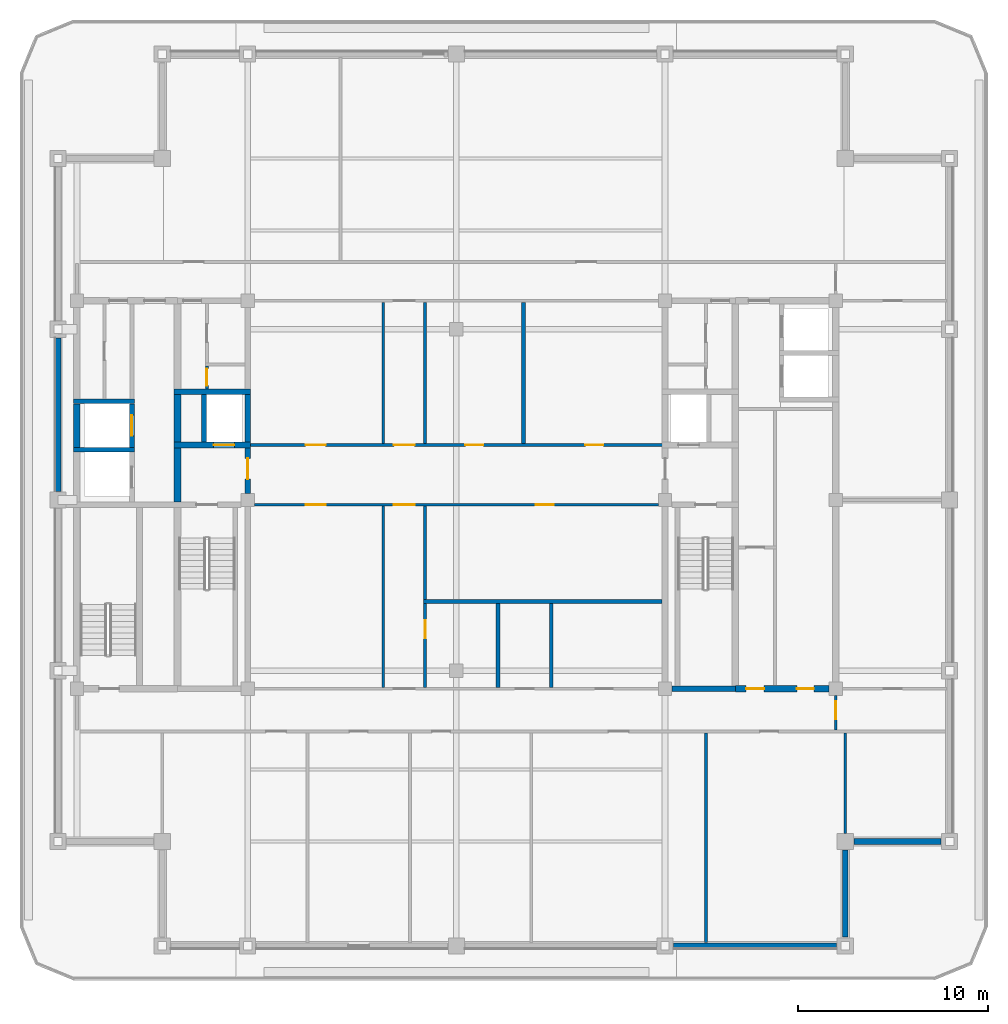
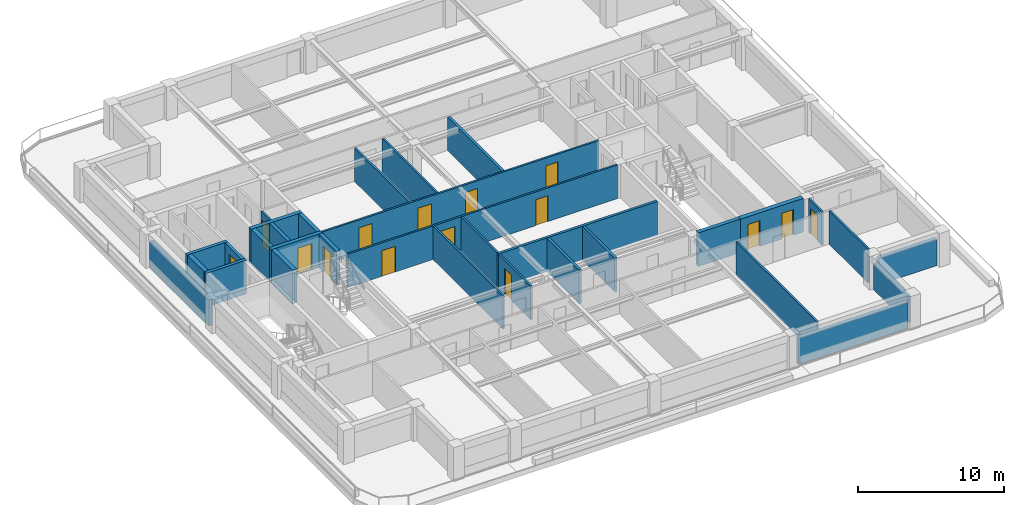
# One storey, part 3 of 10: 32 walls, 15 doors, 15 openings.
"""IFC4 building model written with IfcOpenShell, lengths in metres."""

from ifc_helpers import new_model, si_unit, direction, frame, frame_2d, origin, place, context, subcontext, project, spatial, rectangle, extrude, material, layer, layer_set, type_object, element, fill, save


model = new_model("IFC4")

# Units and contexts
model_context = context("Model", 3, precision=1e-05, world=origin(), true_north=direction((0.0, 1.0)))
body_context = subcontext(model_context, "Body", "Model", "MODEL_VIEW")
ifc_project = project(units=[si_unit("LENGTHUNIT", "METRE"), si_unit("AREAUNIT", "SQUARE_METRE"), si_unit("VOLUMEUNIT", "CUBIC_METRE"), si_unit("PLANEANGLEUNIT", "RADIAN"), si_unit("MASSUNIT", "GRAM", prefix="KILO")], contexts=[model_context])

# Site, building, storey
site_placement = place(None, origin())
site = spatial("IfcSite", under=ifc_project, at=site_placement, CompositionType="ELEMENT")
building_placement = place(site_placement, origin())
building = spatial("IfcBuilding", under=site, at=building_placement, Name="Zulmaris Gate Convention Tower", CompositionType="ELEMENT")
storey_placement = place(building_placement, frame((0.0, 0.0, 246.199951171875)))
storey = spatial("IfcBuildingStorey", under=building, at=storey_placement, Name="L65", CompositionType="ELEMENT", Elevation=246.199951171875)

# Walls
ifc_material_1 = material(Name="Concrete C50/60", Category="concrete")
ifc_layer_1 = layer(ifc_material_1, 0.25, Name="Concrete C50/60")
ifc_layer_set_1 = layer_set([ifc_layer_1], Name="Concrete C50/60")
wall_type_1 = type_object("IfcWallType", Name="CORE-250", PredefinedType="SOLIDWALL", material=ifc_layer_set_1)
for number, where, z_axis, x_axis, name in (
    (1, (-20.175048828125, 2.64990234375, 0.0), (0.0, 0.0, 1.0), (1.0, 0.0, 0.0), "WL-L65-007"),
    (2, (-20.175048828125, 5.199951171875, 0.0), (0.0, 0.0, 1.0), (1.0, 0.0, 0.0), "WL-L65-010"),
):
    element("IfcWall", number, at=place(storey_placement, frame(where, z_axis=z_axis, x_axis=x_axis)), inside=storey, type_object=wall_type_1, Name=name, PredefinedType="SOLIDWALL", context=body_context, shape_type="SweptSolid", body=[
        extrude(rectangle(XDim=3.199951171875, YDim=0.25, at=frame_2d((1.60009765625, 0.0))), origin(), (0.0, 0.0, 1.0), 2.804931640625),
    ])

# Wall, opening, door
wall_1_placement = place(storey_placement, frame((-17.10009765625, 2.777099609375, 0.0), z_axis=(0.0, 0.0, 1.0), x_axis=(0.0, 1.0, 0.0)))
wall_1 = element("IfcWall", 3, at=wall_1_placement, inside=storey, type_object=wall_type_1, Name="WL-L65-038", PredefinedType="SOLIDWALL", context=body_context, shape_type="SweptSolid", body=[
    extrude(rectangle(XDim=2.2958984375, YDim=0.25, at=frame_2d((1.14794921875, 0.0))), origin(), (0.0, 0.0, 1.0), 2.804931640625),
])
opening_1_placement = place(wall_1_placement, frame((0.597900390625, 0.0, 0.0)))
opening_1 = element("IfcOpeningElement", 4, at=opening_1_placement, cuts=wall_1, Name="Opening D-06", PredefinedType="OPENING", context=body_context, shape_type="SweptSolid", body=[
    extrude(rectangle(XDim=1.10009765625, YDim=2.199951171875, at=frame_2d((0.550048828125, 1.10009765625))), frame((0.0, 0.135009765625, 0.0), z_axis=(0.0, -1.0, 0.0), x_axis=(1.0, 0.0, 0.0)), (0.0, 0.0, 1.0), 0.27001953125),
])
ifc_material_2 = material(Name="Brushed Stainless Steel", Category="steel")
door_type_1 = type_object("IfcDoorType", Name="LD-1100", OperationType="NOTDEFINED", PredefinedType="DOOR", material=ifc_material_2)
door_1_placement = place(opening_1_placement, origin())
door_1 = element("IfcDoor", 5, at=door_1_placement, inside=storey, type_object=door_type_1, Name="L65 Lift Landing Door HP-04 15", OperationType="SLIDING_TO_LEFT", OverallHeight=2.199951171875, OverallWidth=1.10009765625, PredefinedType="DOOR", context=body_context, shape_type="SweptSolid", body=[
    extrude(rectangle(XDim=1.10009765625, YDim=2.199951171875, at=frame_2d((0.550048828125, 1.10009765625))), frame((0.0, 0.02490234375, 0.0), z_axis=(0.0, -1.0, 0.0), x_axis=(1.0, 0.0, 0.0)), (0.0, 0.0, 1.0), 0.050048828125),
])
fill(opening_1, door_1)

# Walls
wall_2_placement = place(storey_placement, frame((-13.300048828125, 3.052001953125, 0.0), z_axis=(0.0, 0.0, 1.0), x_axis=(0.0, 1.0, 0.0)))
element("IfcWall", 6, at=wall_2_placement, inside=storey, type_object=wall_type_1, Name="WL-L65-044", PredefinedType="SOLIDWALL", context=body_context, shape_type="SweptSolid", body=[
    extrude(rectangle(XDim=2.49609375, YDim=0.25, at=frame_2d((1.248046875, 0.0))), origin(), (0.0, 0.0, 1.0), 2.804931640625),
])
ifc_layer_2 = layer(ifc_material_1, 0.300048828125, Name="Concrete C50/60")
ifc_layer_set_2 = layer_set([ifc_layer_2], Name="Concrete C50/60")
wall_type_2 = type_object("IfcWallType", Name="CORE-300", PredefinedType="SHEAR", material=ifc_layer_set_2)
wall_3_placement = place(storey_placement, frame((11.35400390625, -9.949951171875, 0.0), z_axis=(0.0, 0.0, 1.0), x_axis=(1.0, 0.0, 0.0)))
element("IfcWall", 7, at=wall_3_placement, inside=storey, type_object=wall_type_2, Name="WL-L65-003", PredefinedType="SHEAR", context=body_context, shape_type="SweptSolid", body=[
    extrude(rectangle(XDim=3.345947265625, YDim=0.300048828125, at=frame_2d((1.6728515625, 0.0))), origin(), (0.0, 0.0, 1.0), 2.804931640625),
])

# Wall, opening, door
wall_4_placement = place(storey_placement, frame((-14.875, 2.89990234375, 0.0), z_axis=(0.0, 0.0, 1.0), x_axis=(1.0, 0.0, 0.0)))
wall_4 = element("IfcWall", 8, at=wall_4_placement, inside=storey, type_object=wall_type_2, Name="WL-L65-008", PredefinedType="SHEAR", context=body_context, shape_type="SweptSolid", body=[
    extrude(rectangle(XDim=4.02490234375, YDim=0.300048828125, at=frame_2d((2.012451171875, 0.0))), origin(), (0.0, 0.0, 1.0), 2.804931640625),
])
opening_2_placement = place(wall_4_placement, frame((2.074951171875, 0.0, 0.0)))
opening_2 = element("IfcOpeningElement", 9, at=opening_2_placement, cuts=wall_4, Name="Opening D-06", PredefinedType="OPENING", context=body_context, shape_type="SweptSolid", body=[
    extrude(rectangle(XDim=1.10009765625, YDim=2.199951171875, at=frame_2d((0.550048828125, 1.10009765625))), frame((0.0, 0.16015625, 0.0), z_axis=(0.0, -1.0, 0.0), x_axis=(1.0, 0.0, 0.0)), (0.0, 0.0, 1.0), 0.320068359375),
])
door_2_placement = place(opening_2_placement, origin())
door_2 = element("IfcDoor", 10, at=door_2_placement, inside=storey, type_object=door_type_1, Name="L65 Lift Landing Door LF-01 03", OperationType="SLIDING_TO_LEFT", OverallHeight=2.199951171875, OverallWidth=1.10009765625, PredefinedType="DOOR", context=body_context, shape_type="SweptSolid", body=[
    extrude(rectangle(XDim=1.10009765625, YDim=2.199951171875, at=frame_2d((0.550048828125, 1.10009765625))), frame((0.0, 0.02490234375, 0.0), z_axis=(0.0, -1.0, 0.0), x_axis=(1.0, 0.0, 0.0)), (0.0, 0.0, 1.0), 0.050048828125),
])
fill(opening_2, door_2)

# Wall
wall_5_placement = place(storey_placement, frame((-14.875, 5.699951171875, 0.0), z_axis=(0.0, 0.0, 1.0), x_axis=(1.0, 0.0, 0.0)))
element("IfcWall", 11, at=wall_5_placement, inside=storey, type_object=wall_type_2, Name="WL-L65-012", PredefinedType="SHEAR", context=body_context, shape_type="SweptSolid", body=[
    extrude(rectangle(XDim=4.02490234375, YDim=0.300048828125, at=frame_2d((2.012451171875, 0.0))), origin(), (0.0, 0.0, 1.0), 2.804931640625),
])

# Wall, opening, door
wall_6_placement = place(storey_placement, frame((-11.0, 0.35400390625, 0.0), z_axis=(0.0, 0.0, 1.0), x_axis=(0.0, 1.0, 0.0)))
wall_6 = element("IfcWall", 12, at=wall_6_placement, inside=storey, type_object=wall_type_2, Name="WL-L65-047", PredefinedType="SHEAR", context=body_context, shape_type="SweptSolid", body=[
    extrude(rectangle(XDim=2.39404296875, YDim=0.300048828125, at=frame_2d((1.197021484375, 0.0))), origin(), (0.0, 0.0, 1.0), 2.804931640625),
])
opening_3_placement = place(wall_6_placement, frame((0.74609375, 0.0, 0.0)))
opening_3 = element("IfcOpeningElement", 13, at=opening_3_placement, cuts=wall_6, Name="Opening D-08", PredefinedType="OPENING", context=body_context, shape_type="SweptSolid", body=[
    extrude(rectangle(XDim=1.10009765625, YDim=2.14990234375, at=frame_2d((0.550048828125, 1.074951171875))), frame((0.0, 0.16015625, 0.0), z_axis=(0.0, -1.0, 0.0), x_axis=(1.0, 0.0, 0.0)), (0.0, 0.0, 1.0), 0.320068359375),
])
ifc_material_3 = material(Name="Fire-Rated Steel", Category="steel")
door_type_2 = type_object("IfcDoorType", Name="DR-1100-FD", OperationType="NOTDEFINED", PredefinedType="DOOR", material=ifc_material_3)
door_3_placement = place(opening_3_placement, origin())
door_3 = element("IfcDoor", 14, at=door_3_placement, inside=storey, type_object=door_type_2, Name="L65 West Firefighting Lobby Door 02", OperationType="SINGLE_SWING_LEFT", OverallHeight=2.14990234375, OverallWidth=1.10009765625, PredefinedType="DOOR", context=body_context, shape_type="SweptSolid", body=[
    extrude(rectangle(XDim=1.10009765625, YDim=2.14990234375, at=frame_2d((0.550048828125, 1.074951171875))), frame((0.0, 0.02490234375, 0.0), z_axis=(0.0, -1.0, 0.0), x_axis=(1.0, 0.0, 0.0)), (0.0, 0.0, 1.0), 0.050048828125),
])
fill(opening_3, door_3)

# Wall
wall_7_placement = place(storey_placement, frame((-11.0, 3.052001953125, 0.0), z_axis=(0.0, 0.0, 1.0), x_axis=(0.0, 1.0, 0.0)))
element("IfcWall", 15, at=wall_7_placement, inside=storey, type_object=wall_type_2, Name="WL-L65-048", PredefinedType="SHEAR", context=body_context, shape_type="SweptSolid", body=[
    extrude(rectangle(XDim=2.49609375, YDim=0.300048828125, at=frame_2d((1.248046875, 0.0))), origin(), (0.0, 0.0, 1.0), 2.804931640625),
])

# Wall, openings, doors
ifc_material_4 = material(Name="Concrete C55/67", Category="concrete")
ifc_layer_3 = layer(ifc_material_4, 0.35009765625, Name="Concrete C55/67")
ifc_layer_set_3 = layer_set([ifc_layer_3], Name="Concrete C55/67")
wall_type_3 = type_object("IfcWallType", Name="CORE-350", PredefinedType="SHEAR", material=ifc_layer_set_3)
wall_8_placement = place(storey_placement, frame((14.699951171875, -9.949951171875, 0.0), z_axis=(0.0, 0.0, 1.0), x_axis=(1.0, 0.0, 0.0)))
wall_8 = element("IfcWall", 16, at=wall_8_placement, inside=storey, type_object=wall_type_3, Name="WL-L65-004", PredefinedType="SHEAR", context=body_context, shape_type="SweptSolid", body=[
    extrude(rectangle(XDim=4.946044921875, YDim=0.35009765625, at=frame_2d((2.47314453125, 0.0))), origin(), (0.0, 0.0, 1.0), 2.804931640625),
])
opening_4_placement = place(wall_8_placement, frame((3.25, 0.0, 0.0)))
opening_4 = element("IfcOpeningElement", 17, at=opening_4_placement, cuts=wall_8, Name="Opening D-12", PredefinedType="OPENING", context=body_context, shape_type="SweptSolid", body=[
    extrude(rectangle(XDim=0.89990234375, YDim=2.14990234375, at=frame_2d((0.449951171875, 1.074951171875))), frame((0.0, 0.18505859375, 0.0), z_axis=(0.0, -1.0, 0.0), x_axis=(1.0, 0.0, 0.0)), (0.0, 0.0, 1.0), 0.3701171875),
])
opening_5_placement = place(wall_8_placement, frame((0.574951171875, 0.0, 0.0)))
opening_5 = element("IfcOpeningElement", 18, at=opening_5_placement, cuts=wall_8, Name="Opening D-11", PredefinedType="OPENING", context=body_context, shape_type="SweptSolid", body=[
    extrude(rectangle(XDim=0.949951171875, YDim=2.14990234375, at=frame_2d((0.47509765625, 1.074951171875))), frame((0.0, 0.18505859375, 0.0), z_axis=(0.0, -1.0, 0.0), x_axis=(1.0, 0.0, 0.0)), (0.0, 0.0, 1.0), 0.3701171875),
])
ifc_material_5 = material(Name="Fire-Rated Timber", Category="wood")
door_type_3 = type_object("IfcDoorType", Name="DR-900-FD", OperationType="NOTDEFINED", PredefinedType="DOOR", material=ifc_material_5)
door_4_placement = place(opening_4_placement, origin())
door_4 = element("IfcDoor", 19, at=door_4_placement, inside=storey, type_object=door_type_3, Name="L65 Core IT Room Door 22", OperationType="SINGLE_SWING_LEFT", OverallHeight=2.14990234375, OverallWidth=0.89990234375, PredefinedType="DOOR", context=body_context, shape_type="SweptSolid", body=[
    extrude(rectangle(XDim=0.89990234375, YDim=2.14990234375, at=frame_2d((0.449951171875, 1.074951171875))), frame((0.0, 0.02490234375, 0.0), z_axis=(0.0, -1.0, 0.0), x_axis=(1.0, 0.0, 0.0)), (0.0, 0.0, 1.0), 0.050048828125),
])
fill(opening_4, door_4)
door_type_4 = type_object("IfcDoorType", Name="DR-950-FD", OperationType="NOTDEFINED", PredefinedType="DOOR", material=ifc_material_5)
door_5_placement = place(opening_5_placement, origin())
door_5 = element("IfcDoor", 20, at=door_5_placement, inside=storey, type_object=door_type_4, Name="L65 Guest Pantry Door 23", OperationType="SINGLE_SWING_RIGHT", OverallHeight=2.14990234375, OverallWidth=0.949951171875, PredefinedType="DOOR", context=body_context, shape_type="SweptSolid", body=[
    extrude(rectangle(XDim=0.949951171875, YDim=2.14990234375, at=frame_2d((0.47509765625, 1.074951171875))), frame((0.0, 0.02490234375, 0.0), z_axis=(0.0, -1.0, 0.0), x_axis=(1.0, 0.0, 0.0)), (0.0, 0.0, 1.0), 0.050048828125),
])
fill(opening_5, door_5)

# Walls
wall_9_placement = place(storey_placement, frame((-20.0, 2.777099609375, 0.0), z_axis=(0.0, 0.0, 1.0), x_axis=(0.0, 1.0, 0.0)))
element("IfcWall", 21, at=wall_9_placement, inside=storey, type_object=wall_type_3, Name="WL-L65-035", PredefinedType="SHEAR", context=body_context, shape_type="SweptSolid", body=[
    extrude(rectangle(XDim=2.2958984375, YDim=0.35009765625, at=frame_2d((1.14794921875, 0.0))), origin(), (0.0, 0.0, 1.0), 2.804931640625),
])
wall_10_placement = place(storey_placement, frame((-14.699951171875, -0.097900390625, 0.0), z_axis=(0.0, 0.0, 1.0), x_axis=(0.0, 1.0, 0.0)))
element("IfcWall", 22, at=wall_10_placement, inside=storey, type_object=wall_type_3, Name="WL-L65-041", PredefinedType="SHEAR", context=body_context, shape_type="SweptSolid", body=[
    extrude(rectangle(XDim=2.845947265625, YDim=0.35009765625, at=frame_2d((1.4228515625, 0.0))), origin(), (0.0, 0.0, 1.0), 2.804931640625),
])
wall_11_placement = place(storey_placement, frame((-14.699951171875, 3.052001953125, 0.0), z_axis=(0.0, 0.0, 1.0), x_axis=(0.0, 1.0, 0.0)))
element("IfcWall", 23, at=wall_11_placement, inside=storey, type_object=wall_type_3, Name="WL-L65-042", PredefinedType="SHEAR", context=body_context, shape_type="SweptSolid", body=[
    extrude(rectangle(XDim=2.49609375, YDim=0.35009765625, at=frame_2d((1.248046875, 0.0))), origin(), (0.0, 0.0, 1.0), 2.804931640625),
])

# Wall, openings, doors
ifc_material_6 = material(Name="Gypsum Metal Stud Partition")
ifc_layer_4 = layer(ifc_material_6, 0.14990234375, Name="Gypsum Metal Stud Partition")
ifc_layer_set_4 = layer_set([ifc_layer_4], Name="Gypsum Metal Stud Partition")
wall_type_4 = type_object("IfcWallType", Name="PART-150", PredefinedType="PARTITIONING", material=ifc_layer_set_4)
wall_12_placement = place(storey_placement, frame((-10.64404296875, -0.25, 0.0), z_axis=(0.0, 0.0, 1.0), x_axis=(1.0, 0.0, 0.0)))
wall_12 = element("IfcWall", 24, at=wall_12_placement, inside=storey, type_object=wall_type_4, Name="WL-L65-024", PredefinedType="PARTITIONING", context=body_context, shape_type="SweptSolid", body=[
    extrude(rectangle(XDim=21.2880859375, YDim=0.14990234375, at=frame_2d((10.64404296875, 0.0))), origin(), (0.0, 0.0, 1.0), 2.804931640625),
])
opening_6_placement = place(wall_12_placement, frame((7.343994140625, 0.0, 0.0)))
opening_6 = element("IfcOpeningElement", 25, at=opening_6_placement, cuts=wall_12, Name="Opening D-08", PredefinedType="OPENING", context=body_context, shape_type="SweptSolid", body=[
    extrude(rectangle(XDim=1.10009765625, YDim=2.14990234375, at=frame_2d((0.550048828125, 1.074951171875))), frame((0.0, 0.0849609375, 0.0), z_axis=(0.0, -1.0, 0.0), x_axis=(1.0, 0.0, 0.0)), (0.0, 0.0, 1.0), 0.169921875),
])
opening_7_placement = place(wall_12_placement, frame((2.698974609375, 0.0, 0.0)))
opening_7 = element("IfcOpeningElement", 26, at=opening_7_placement, cuts=wall_12, Name="Opening D-09", PredefinedType="OPENING", context=body_context, shape_type="SweptSolid", body=[
    extrude(rectangle(XDim=1.050048828125, YDim=2.14990234375, at=frame_2d((0.52490234375, 1.074951171875))), frame((0.0, 0.0849609375, 0.0), z_axis=(0.0, -1.0, 0.0), x_axis=(1.0, 0.0, 0.0)), (0.0, 0.0, 1.0), 0.169921875),
])
opening_8_placement = place(wall_12_placement, frame((14.839111328125, 0.0, 0.0)))
opening_8 = element("IfcOpeningElement", 27, at=opening_8_placement, cuts=wall_12, Name="Opening D-11", PredefinedType="OPENING", context=body_context, shape_type="SweptSolid", body=[
    extrude(rectangle(XDim=0.949951171875, YDim=2.14990234375, at=frame_2d((0.47509765625, 1.074951171875))), frame((0.0, 0.0849609375, 0.0), z_axis=(0.0, -1.0, 0.0), x_axis=(1.0, 0.0, 0.0)), (0.0, 0.0, 1.0), 0.169921875),
])
door_type_5 = type_object("IfcDoorType", Name="DR-1050-FD", OperationType="NOTDEFINED", PredefinedType="DOOR", material=ifc_material_3)
door_6_placement = place(opening_7_placement, origin())
door_6 = element("IfcDoor", 28, at=door_6_placement, inside=storey, type_object=door_type_5, Name="L65 Sky Library Door 39", OperationType="SINGLE_SWING_RIGHT", OverallHeight=2.14990234375, OverallWidth=1.050048828125, PredefinedType="DOOR", context=body_context, shape_type="SweptSolid", body=[
    extrude(rectangle(XDim=1.050048828125, YDim=2.14990234375, at=frame_2d((0.52490234375, 1.074951171875))), frame((0.0, 0.02490234375, 0.0), z_axis=(0.0, -1.0, 0.0), x_axis=(1.0, 0.0, 0.0)), (0.0, 0.0, 1.0), 0.050048828125),
])
fill(opening_7, door_6)
door_7_placement = place(opening_6_placement, origin())
door_7 = element("IfcDoor", 29, at=door_7_placement, inside=storey, type_object=door_type_2, Name="L65 Exec Cross South Door 28", OperationType="SINGLE_SWING_LEFT", OverallHeight=2.14990234375, OverallWidth=1.10009765625, PredefinedType="DOOR", context=body_context, shape_type="SweptSolid", body=[
    extrude(rectangle(XDim=1.10009765625, YDim=2.14990234375, at=frame_2d((0.550048828125, 1.074951171875))), frame((0.0, 0.02490234375, 0.0), z_axis=(0.0, -1.0, 0.0), x_axis=(1.0, 0.0, 0.0)), (0.0, 0.0, 1.0), 0.050048828125),
])
fill(opening_6, door_7)
door_8_placement = place(opening_8_placement, origin())
door_8 = element("IfcDoor", 30, at=door_8_placement, inside=storey, type_object=door_type_4, Name="L65 Public WC Door 40", OperationType="SINGLE_SWING_LEFT", OverallHeight=2.14990234375, OverallWidth=0.949951171875, PredefinedType="DOOR", context=body_context, shape_type="SweptSolid", body=[
    extrude(rectangle(XDim=0.949951171875, YDim=2.14990234375, at=frame_2d((0.47509765625, 1.074951171875))), frame((0.0, 0.02490234375, 0.0), z_axis=(0.0, -1.0, 0.0), x_axis=(1.0, 0.0, 0.0)), (0.0, 0.0, 1.0), 0.050048828125),
])
fill(opening_8, door_8)

wall_13_placement = place(storey_placement, frame((-11.0, 2.89990234375, 0.0), z_axis=(0.0, 0.0, 1.0), x_axis=(1.0, 0.0, 0.0)))
wall_13 = element("IfcWall", 31, at=wall_13_placement, inside=storey, type_object=wall_type_4, Name="WL-L65-026", PredefinedType="PARTITIONING", context=body_context, shape_type="SweptSolid", body=[
    extrude(rectangle(XDim=22.0, YDim=0.14990234375, at=frame_2d((11.0, 0.0))), origin(), (0.0, 0.0, 1.0), 2.804931640625),
])
opening_9_placement = place(wall_13_placement, frame((7.699951171875, 0.0, 0.0)))
opening_9 = element("IfcOpeningElement", 32, at=opening_9_placement, cuts=wall_13, Name="Opening D-08", PredefinedType="OPENING", context=body_context, shape_type="SweptSolid", body=[
    extrude(rectangle(XDim=1.10009765625, YDim=2.14990234375, at=frame_2d((0.550048828125, 1.074951171875))), frame((0.0, 0.0849609375, 0.0), z_axis=(0.0, -1.0, 0.0), x_axis=(1.0, 0.0, 0.0)), (0.0, 0.0, 1.0), 0.169921875),
])
opening_10_placement = place(wall_13_placement, frame((3.054931640625, 0.0, 0.0)))
opening_10 = element("IfcOpeningElement", 33, at=opening_10_placement, cuts=wall_13, Name="Opening D-09", PredefinedType="OPENING", context=body_context, shape_type="SweptSolid", body=[
    extrude(rectangle(XDim=1.050048828125, YDim=2.14990234375, at=frame_2d((0.52490234375, 1.074951171875))), frame((0.0, 0.0849609375, 0.0), z_axis=(0.0, -1.0, 0.0), x_axis=(1.0, 0.0, 0.0)), (0.0, 0.0, 1.0), 0.169921875),
])
opening_11_placement = place(wall_13_placement, frame((11.47509765625, 0.0, 0.0)))
opening_11 = element("IfcOpeningElement", 34, at=opening_11_placement, cuts=wall_13, Name="Opening D-11", PredefinedType="OPENING", context=body_context, shape_type="SweptSolid", body=[
    extrude(rectangle(XDim=0.949951171875, YDim=2.14990234375, at=frame_2d((0.47509765625, 1.074951171875))), frame((0.0, 0.0849609375, 0.0), z_axis=(0.0, -1.0, 0.0), x_axis=(1.0, 0.0, 0.0)), (0.0, 0.0, 1.0), 0.169921875),
])
opening_12_placement = place(wall_13_placement, frame((17.794921875, 0.0, 0.0)))
opening_12 = element("IfcOpeningElement", 35, at=opening_12_placement, cuts=wall_13, Name="Opening D-11", PredefinedType="OPENING", context=body_context, shape_type="SweptSolid", body=[
    extrude(rectangle(XDim=0.949951171875, YDim=2.14990234375, at=frame_2d((0.47509765625, 1.074951171875))), frame((0.0, 0.0849609375, 0.0), z_axis=(0.0, -1.0, 0.0), x_axis=(1.0, 0.0, 0.0)), (0.0, 0.0, 1.0), 0.169921875),
])
door_9_placement = place(opening_10_placement, origin())
door_9 = element("IfcDoor", 36, at=door_9_placement, inside=storey, type_object=door_type_5, Name="L65 Reception Door 36", OperationType="SINGLE_SWING_LEFT", OverallHeight=2.14990234375, OverallWidth=1.050048828125, PredefinedType="DOOR", context=body_context, shape_type="SweptSolid", body=[
    extrude(rectangle(XDim=1.050048828125, YDim=2.14990234375, at=frame_2d((0.52490234375, 1.074951171875))), frame((0.0, 0.02490234375, 0.0), z_axis=(0.0, -1.0, 0.0), x_axis=(1.0, 0.0, 0.0)), (0.0, 0.0, 1.0), 0.050048828125),
])
fill(opening_10, door_9)
door_10_placement = place(opening_9_placement, origin())
door_10 = element("IfcDoor", 37, at=door_10_placement, inside=storey, type_object=door_type_2, Name="L65 Exec Cross North Door 27", OperationType="SINGLE_SWING_RIGHT", OverallHeight=2.14990234375, OverallWidth=1.10009765625, PredefinedType="DOOR", context=body_context, shape_type="SweptSolid", body=[
    extrude(rectangle(XDim=1.10009765625, YDim=2.14990234375, at=frame_2d((0.550048828125, 1.074951171875))), frame((0.0, 0.02490234375, 0.0), z_axis=(0.0, -1.0, 0.0), x_axis=(1.0, 0.0, 0.0)), (0.0, 0.0, 1.0), 0.050048828125),
])
fill(opening_9, door_10)
door_11_placement = place(opening_11_placement, origin())
door_11 = element("IfcDoor", 38, at=door_11_placement, inside=storey, type_object=door_type_4, Name="L65 Briefing Door 37", OperationType="SINGLE_SWING_RIGHT", OverallHeight=2.14990234375, OverallWidth=0.949951171875, PredefinedType="DOOR", context=body_context, shape_type="SweptSolid", body=[
    extrude(rectangle(XDim=0.949951171875, YDim=2.14990234375, at=frame_2d((0.47509765625, 1.074951171875))), frame((0.0, 0.02490234375, 0.0), z_axis=(0.0, -1.0, 0.0), x_axis=(1.0, 0.0, 0.0)), (0.0, 0.0, 1.0), 0.050048828125),
])
fill(opening_11, door_11)
door_12_placement = place(opening_12_placement, origin())
door_12 = element("IfcDoor", 39, at=door_12_placement, inside=storey, type_object=door_type_4, Name="L65 Dining Pantry Door 38", OperationType="SINGLE_SWING_LEFT", OverallHeight=2.14990234375, OverallWidth=0.949951171875, PredefinedType="DOOR", context=body_context, shape_type="SweptSolid", body=[
    extrude(rectangle(XDim=0.949951171875, YDim=2.14990234375, at=frame_2d((0.47509765625, 1.074951171875))), frame((0.0, 0.02490234375, 0.0), z_axis=(0.0, -1.0, 0.0), x_axis=(1.0, 0.0, 0.0)), (0.0, 0.0, 1.0), 0.050048828125),
])
fill(opening_12, door_12)

# Wall, opening, door
wall_14_placement = place(storey_placement, frame((-13.14990234375, 5.85302734375, 0.0), z_axis=(0.0, 0.0, 1.0), x_axis=(0.0, 1.0, 0.0)))
wall_14 = element("IfcWall", 40, at=wall_14_placement, inside=storey, type_object=wall_type_4, Name="WL-L65-070", PredefinedType="PARTITIONING", context=body_context, shape_type="SweptSolid", body=[
    extrude(rectangle(XDim=1.218994140625, YDim=0.14990234375, at=frame_2d((0.609375, 0.0))), origin(), (0.0, 0.0, 1.0), 2.804931640625),
])
opening_13_placement = place(wall_14_placement, frame((0.1689453125, 0.0, 0.0)))
opening_13 = element("IfcOpeningElement", 41, at=opening_13_placement, cuts=wall_14, Name="Opening D-12", PredefinedType="OPENING", context=body_context, shape_type="SweptSolid", body=[
    extrude(rectangle(XDim=0.89990234375, YDim=2.14990234375, at=frame_2d((0.449951171875, 1.074951171875))), frame((0.0, 0.0849609375, 0.0), z_axis=(0.0, -1.0, 0.0), x_axis=(1.0, 0.0, 0.0)), (0.0, 0.0, 1.0), 0.169921875),
])
door_13_placement = place(opening_13_placement, origin())
door_13 = element("IfcDoor", 42, at=door_13_placement, inside=storey, type_object=door_type_3, Name="L65 Stationery Closet Door 08", OperationType="SINGLE_SWING_LEFT", OverallHeight=2.14990234375, OverallWidth=0.89990234375, PredefinedType="DOOR", context=body_context, shape_type="SweptSolid", body=[
    extrude(rectangle(XDim=0.89990234375, YDim=2.14990234375, at=frame_2d((0.449951171875, 1.074951171875))), frame((0.0, 0.02490234375, 0.0), z_axis=(0.0, -1.0, 0.0), x_axis=(1.0, 0.0, 0.0)), (0.0, 0.0, 1.0), 0.050048828125),
])
fill(opening_13, door_13)

# Walls
wall_15_placement = place(storey_placement, frame((-3.85009765625, -9.8720703125, 0.0), z_axis=(0.0, 0.0, 1.0), x_axis=(0.0, 1.0, 0.0)))
element("IfcWall", 43, at=wall_15_placement, inside=storey, type_object=wall_type_4, Name="WL-L65-074", PredefinedType="PARTITIONING", context=body_context, shape_type="SweptSolid", body=[
    extrude(rectangle(XDim=9.544189453125, YDim=0.14990234375, at=frame_2d((4.77197265625, 0.0))), origin(), (0.0, 0.0, 1.0), 2.804931640625),
])
wall_16_placement = place(storey_placement, frame((-3.85009765625, 2.97802734375, 0.0), z_axis=(0.0, 0.0, 1.0), x_axis=(0.0, 1.0, 0.0)))
element("IfcWall", 44, at=wall_16_placement, inside=storey, type_object=wall_type_4, Name="WL-L65-075", PredefinedType="PARTITIONING", context=body_context, shape_type="SweptSolid", body=[
    extrude(rectangle(XDim=7.444091796875, YDim=0.14990234375, at=frame_2d((3.72216796875, 0.0))), origin(), (0.0, 0.0, 1.0), 2.804931640625),
])

# Wall, opening, door
wall_17_placement = place(storey_placement, frame((-1.64990234375, -9.8720703125, 0.0), z_axis=(0.0, 0.0, 1.0), x_axis=(0.0, 1.0, 0.0)))
wall_17 = element("IfcWall", 45, at=wall_17_placement, inside=storey, type_object=wall_type_4, Name="WL-L65-077", PredefinedType="PARTITIONING", context=body_context, shape_type="SweptSolid", body=[
    extrude(rectangle(XDim=4.419189453125, YDim=0.14990234375, at=frame_2d((2.20947265625, 0.0))), origin(), (0.0, 0.0, 1.0), 2.804931640625),
])
opening_14_placement = place(wall_17_placement, frame((2.596923828125, 0.0, 0.0)))
opening_14 = element("IfcOpeningElement", 46, at=opening_14_placement, cuts=wall_17, Name="Opening D-11", PredefinedType="OPENING", context=body_context, shape_type="SweptSolid", body=[
    extrude(rectangle(XDim=0.949951171875, YDim=2.14990234375, at=frame_2d((0.47509765625, 1.074951171875))), frame((0.0, 0.0849609375, 0.0), z_axis=(0.0, -1.0, 0.0), x_axis=(1.0, 0.0, 0.0)), (0.0, 0.0, 1.0), 0.169921875),
])
door_14_placement = place(opening_14_placement, origin())
door_14 = element("IfcDoor", 47, at=door_14_placement, inside=storey, type_object=door_type_4, Name="L65 Hygiene Supply Door 41", OperationType="SINGLE_SWING_RIGHT", OverallHeight=2.14990234375, OverallWidth=0.949951171875, PredefinedType="DOOR", context=body_context, shape_type="SweptSolid", body=[
    extrude(rectangle(XDim=0.949951171875, YDim=2.14990234375, at=frame_2d((0.47509765625, 1.074951171875))), frame((0.0, 0.02490234375, 0.0), z_axis=(0.0, -1.0, 0.0), x_axis=(1.0, 0.0, 0.0)), (0.0, 0.0, 1.0), 0.050048828125),
])
fill(opening_14, door_14)

# Walls
wall_18_placement = place(storey_placement, frame((-1.64990234375, -5.2470703125, 0.0), z_axis=(0.0, 0.0, 1.0), x_axis=(0.0, 1.0, 0.0)))
element("IfcWall", 48, at=wall_18_placement, inside=storey, type_object=wall_type_4, Name="WL-L65-078", PredefinedType="PARTITIONING", context=body_context, shape_type="SweptSolid", body=[
    extrude(rectangle(XDim=4.919189453125, YDim=0.14990234375, at=frame_2d((2.45947265625, 0.0))), origin(), (0.0, 0.0, 1.0), 2.804931640625),
])
wall_19_placement = place(storey_placement, frame((-1.64990234375, 2.97802734375, 0.0), z_axis=(0.0, 0.0, 1.0), x_axis=(0.0, 1.0, 0.0)))
element("IfcWall", 49, at=wall_19_placement, inside=storey, type_object=wall_type_4, Name="WL-L65-079", PredefinedType="PARTITIONING", context=body_context, shape_type="SweptSolid", body=[
    extrude(rectangle(XDim=7.444091796875, YDim=0.14990234375, at=frame_2d((3.72216796875, 0.0))), origin(), (0.0, 0.0, 1.0), 2.804931640625),
])
wall_20_placement = place(storey_placement, frame((13.14990234375, -23.3349609375, 0.0), z_axis=(0.0, 0.0, 1.0), x_axis=(0.0, 1.0, 0.0)))
element("IfcWall", 50, at=wall_20_placement, inside=storey, type_object=wall_type_4, Name="WL-L65-084", PredefinedType="PARTITIONING", context=body_context, shape_type="SweptSolid", body=[
    extrude(rectangle(XDim=11.056884765625, YDim=0.14990234375, at=frame_2d((5.5283203125, 0.0))), origin(), (0.0, 0.0, 1.0), 2.804931640625),
])

# Wall, opening, door
wall_21_placement = place(storey_placement, frame((20.0, -12.1220703125, 0.0), z_axis=(0.0, 0.0, 1.0), x_axis=(0.0, 1.0, 0.0)))
wall_21 = element("IfcWall", 51, at=wall_21_placement, inside=storey, type_object=wall_type_4, Name="WL-L65-089", PredefinedType="PARTITIONING", context=body_context, shape_type="SweptSolid", body=[
    extrude(rectangle(XDim=1.816162109375, YDim=0.14990234375, at=frame_2d((0.908203125, 0.0))), origin(), (0.0, 0.0, 1.0), 2.804931640625),
])
opening_15_placement = place(wall_21_placement, frame((0.576904296875, 0.0, 0.0)))
opening_15 = element("IfcOpeningElement", 52, at=opening_15_placement, cuts=wall_21, Name="Opening D-11", PredefinedType="OPENING", context=body_context, shape_type="SweptSolid", body=[
    extrude(rectangle(XDim=0.949951171875, YDim=2.14990234375, at=frame_2d((0.47509765625, 1.074951171875))), frame((0.0, 0.0849609375, 0.0), z_axis=(0.0, -1.0, 0.0), x_axis=(1.0, 0.0, 0.0)), (0.0, 0.0, 1.0), 0.169921875),
])
door_15_placement = place(opening_15_placement, origin())
door_15 = element("IfcDoor", 53, at=door_15_placement, inside=storey, type_object=door_type_4, Name="L65 SE Spur Door 45", OperationType="SINGLE_SWING_RIGHT", OverallHeight=2.14990234375, OverallWidth=0.949951171875, PredefinedType="DOOR", context=body_context, shape_type="SweptSolid", body=[
    extrude(rectangle(XDim=0.949951171875, YDim=2.14990234375, at=frame_2d((0.47509765625, 1.074951171875))), frame((0.0, 0.02490234375, 0.0), z_axis=(0.0, -1.0, 0.0), x_axis=(1.0, 0.0, 0.0)), (0.0, 0.0, 1.0), 0.050048828125),
])
fill(opening_15, door_15)

# Walls
wall_22_placement = place(storey_placement, frame((20.5, -17.569091796875, 0.0), z_axis=(0.0, 0.0, 1.0), x_axis=(0.0, 1.0, 0.0)))
element("IfcWall", 54, at=wall_22_placement, inside=storey, type_object=wall_type_4, Name="WL-L65-091", PredefinedType="PARTITIONING", context=body_context, shape_type="SweptSolid", body=[
    extrude(rectangle(XDim=5.291015625, YDim=0.14990234375, at=frame_2d((2.6455078125, 0.0))), origin(), (0.0, 0.0, 1.0), 2.804931640625),
])
ifc_material_7 = material(Name="Autoclaved Aerated Concrete Block and Plasterboard", Category="concrete")
ifc_layer_5 = layer(ifc_material_7, 0.199951171875, Name="Autoclaved Aerated Concrete Block and Plasterboard")
ifc_layer_set_5 = layer_set([ifc_layer_5], Name="Autoclaved Aerated Concrete Block and Plasterboard")
wall_type_5 = type_object("IfcWallType", Name="PART-200", PredefinedType="PARTITIONING", material=ifc_layer_set_5)
wall_23_placement = place(storey_placement, frame((-1.72509765625, -5.35009765625, 0.0), z_axis=(0.0, 0.0, 1.0), x_axis=(1.0, 0.0, 0.0)))
element("IfcWall", 55, at=wall_23_placement, inside=storey, type_object=wall_type_5, Name="WL-L65-022", PredefinedType="PARTITIONING", context=body_context, shape_type="SweptSolid", body=[
    extrude(rectangle(XDim=12.572021484375, YDim=0.199951171875, at=frame_2d((6.2861328125, 0.0))), origin(), (0.0, 0.0, 1.0), 2.804931640625),
])
wall_24_placement = place(storey_placement, frame((2.199951171875, -9.8720703125, 0.0), z_axis=(0.0, 0.0, 1.0), x_axis=(0.0, 1.0, 0.0)))
element("IfcWall", 56, at=wall_24_placement, inside=storey, type_object=wall_type_5, Name="WL-L65-080", PredefinedType="PARTITIONING", context=body_context, shape_type="SweptSolid", body=[
    extrude(rectangle(XDim=4.419189453125, YDim=0.199951171875, at=frame_2d((2.20947265625, 0.0))), origin(), (0.0, 0.0, 1.0), 2.804931640625),
])
wall_25_placement = place(storey_placement, frame((3.5400390625, 2.97802734375, 0.0), z_axis=(0.0, 0.0, 1.0), x_axis=(0.0, 1.0, 0.0)))
element("IfcWall", 57, at=wall_25_placement, inside=storey, type_object=wall_type_5, Name="WL-L65-081", PredefinedType="PARTITIONING", context=body_context, shape_type="SweptSolid", body=[
    extrude(rectangle(XDim=7.444091796875, YDim=0.199951171875, at=frame_2d((3.72216796875, 0.0))), origin(), (0.0, 0.0, 1.0), 2.804931640625),
])
wall_26_placement = place(storey_placement, frame((5.0, -9.8720703125, 0.0), z_axis=(0.0, 0.0, 1.0), x_axis=(0.0, 1.0, 0.0)))
element("IfcWall", 58, at=wall_26_placement, inside=storey, type_object=wall_type_5, Name="WL-L65-083", PredefinedType="PARTITIONING", context=body_context, shape_type="SweptSolid", body=[
    extrude(rectangle(XDim=4.419189453125, YDim=0.199951171875, at=frame_2d((2.20947265625, 0.0))), origin(), (0.0, 0.0, 1.0), 2.804931640625),
])
ifc_material_8 = material(Name="Precast concrete C40/50", Category="concrete")
ifc_layer_6 = layer(ifc_material_8, 0.300048828125, Name="Precast concrete C40/50")
ifc_layer_set_6 = layer_set([ifc_layer_6], Name="Precast concrete C40/50")
wall_type_6 = type_object("IfcWallType", Name="PRECAST-PIER-300", PredefinedType="STANDARD", material=ifc_layer_set_6)
for number, where, z_axis, x_axis, name in (
    (59, (20.5, -23.044921875, 0.0), (0.0, 0.0, 1.0), (0.0, 1.0, 0.0), "EW-L65-NOTCH-SE1_0"),
    (60, (20.955078125, -18.0, 0.0), (0.0, 0.0, 1.0), (1.0, 0.0, 0.0), "EW-L65-NOTCH-SE2_0"),
):
    element("IfcWall", number, at=place(storey_placement, frame(where, z_axis=z_axis, x_axis=x_axis)), inside=storey, type_object=wall_type_6, Name=name, PredefinedType="STANDARD", context=body_context, shape_type="SweptSolid", body=[
        extrude(rectangle(XDim=4.58984375, YDim=0.300048828125, at=frame_2d((2.294921875, 0.0))), origin(), (0.0, 0.0, 1.0), 2.197021484375),
    ])
wall_27_placement = place(storey_placement, frame((11.455078125, -23.5, 0.0), z_axis=(0.0, 0.0, 1.0), x_axis=(1.0, 0.0, 0.0)))
element("IfcWall", 61, at=wall_27_placement, inside=storey, type_object=wall_type_6, Name="EW-L65-S-3_0", PredefinedType="STANDARD", context=body_context, shape_type="SweptSolid", body=[
    extrude(rectangle(XDim=8.58984375, YDim=0.300048828125, at=frame_2d((4.294921875, 0.0))), origin(), (0.0, 0.0, 1.0), 2.197021484375),
])
wall_28_placement = place(storey_placement, frame((-21.0, 8.544921875, 0.0), z_axis=(0.0, 0.0, 1.0), x_axis=(0.0, -1.0, 0.0)))
element("IfcWall", 62, at=wall_28_placement, inside=storey, type_object=wall_type_6, Name="EW-L65-W-2_0", PredefinedType="STANDARD", context=body_context, shape_type="SweptSolid", body=[
    extrude(rectangle(XDim=8.08984375, YDim=0.300048828125, at=frame_2d((4.044921875, 0.0))), origin(), (0.0, 0.0, 1.0), 2.197021484375),
])

save(model, "model.ifc")
